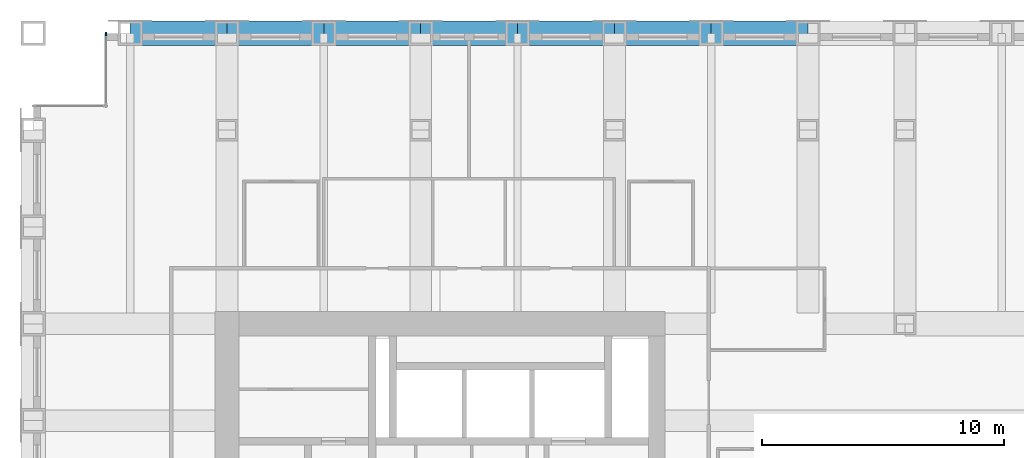
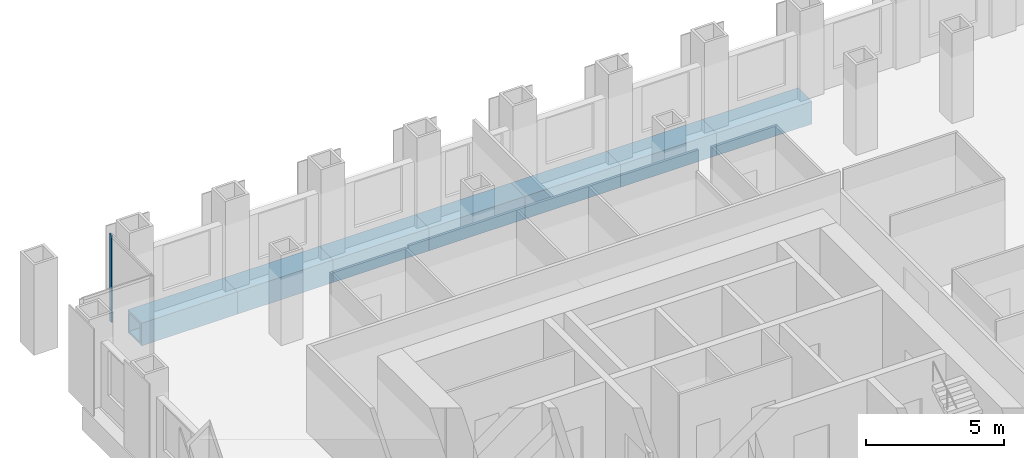
# One storey, part 8 of 16: 7 beams, 1 member, 1 element without a shape of its own.
"""IFC4 building model written with IfcOpenShell, lengths in metres."""

from ifc_helpers import new_model, si_unit, direction, frame, origin, origin_2d, place, context, subcontext, project, spatial, rectangle, hollow_rectangle, extrude, material, material_profile, profile_set, type_object, element, aggregate, save


model = new_model("IFC4")

# Units and contexts
model_context = context("Model", 3, precision=1e-05, world=origin(), true_north=direction((0.0, 1.0)))
body_context = subcontext(model_context, "Body", "Model", "MODEL_VIEW")
ifc_project = project(units=[si_unit("LENGTHUNIT", "METRE"), si_unit("AREAUNIT", "SQUARE_METRE"), si_unit("VOLUMEUNIT", "CUBIC_METRE"), si_unit("PLANEANGLEUNIT", "RADIAN"), si_unit("MASSUNIT", "GRAM", prefix="KILO")], contexts=[model_context])

# Site, building, storey
site_placement = place(None, origin())
site = spatial("IfcSite", under=ifc_project, at=site_placement, CompositionType="ELEMENT")
building_placement = place(site_placement, origin())
building = spatial("IfcBuilding", under=site, at=building_placement, Name="Rimbunsela Tower", CompositionType="ELEMENT")
storey_placement = place(building_placement, frame((0.0, 0.0, 93.39990234375)))
storey = spatial("IfcBuildingStorey", under=building, at=storey_placement, Name="L22", CompositionType="ELEMENT", Elevation=93.39990234375)

# Beams
ifc_material_1 = material(Name="Steel BJ 55 (fy 410 MPa)", Category="steel")
ifc_material_profile_1 = material_profile(ifc_material_1, hollow_rectangle(XDim=1.0, YDim=1.0, WallThickness=0.10009765625, at=origin_2d()), Name="BOX 1000x1000x100")
ifc_profile_set_1 = profile_set([ifc_material_profile_1], Name="Steel BJ 55 (fy 410 MPa)")
beam_type = type_object("IfcBeamType", Name="Beam BOX 1000x1000x100", PredefinedType="BEAM", material=ifc_profile_set_1)
for number, where, z_axis, x_axis, name in (
    (1, (14.0, 48.0, -0.64990234375), (1.0, 0.0, 0.0), (0.0, 1.0, 0.0), "Beam B3 L22"),
    (2, (18.0, 48.0, -0.64990234375), (1.0, 0.0, 0.0), (0.0, 1.0, 0.0), "Beam B3 L22"),
    (3, (22.0, 48.0, -0.64990234375), (1.0, 0.0, 0.0), (0.0, 1.0, 0.0), "Beam B3 L22"),
    (4, (26.0, 48.0, -0.64990234375), (1.0, 0.0, 0.0), (0.0, 1.0, 0.0), "Beam B3 L22"),
    (5, (30.0, 48.0, -0.64990234375), (1.0, 0.0, 0.0), (0.0, 1.0, 0.0), "Beam B3 L22"),
    (6, (34.0, 48.0, -0.64990234375), (1.0, 0.0, 0.0), (0.0, 1.0, 0.0), "Beam B3 L22"),
    (7, (38.0, 48.0, -0.64990234375), (1.0, 0.0, 0.0), (0.0, 1.0, 0.0), "Beam B3 L22"),
):
    element("IfcBeam", number, at=place(storey_placement, frame(where, z_axis=z_axis, x_axis=x_axis)), inside=storey, type_object=beam_type, Name=name, PredefinedType="BEAM", context=body_context, shape_type="SweptSolid", body=[
        extrude(hollow_rectangle(XDim=1.0, YDim=1.0, WallThickness=0.10009765625, at=origin_2d()), origin(), (0.0, 0.0, 1.0), 4.0),
    ])

# Curtain wall, member
ifc_material_2 = material(Name="Aluminium curtain wall", Category="aluminium")
curtain_wall_type = type_object("IfcCurtainWallType", Name="Corner glazing", PredefinedType="USERDEFINED", material=ifc_material_2)
curtain_wall_placement = place(storey_placement, origin())
curtain_wall = element("IfcCurtainWall", 8, at=curtain_wall_placement, inside=storey, type_object=curtain_wall_type, Name="Corner glazing L22", ObjectType="CORNER GLAZING", PredefinedType="USERDEFINED")
ifc_material_3 = material(Name="Aluminium mullion", Category="aluminium")
ifc_material_profile_2 = material_profile(ifc_material_3, rectangle(XDim=0.06005859375, YDim=0.159912109375, at=origin_2d()), Name="Mullion 60x160")
ifc_profile_set_2 = profile_set([ifc_material_profile_2], Name="Aluminium mullion")
member_type = type_object("IfcMemberType", Name="Curtain wall mullion 60x160", PredefinedType="MULLION", material=ifc_profile_set_2)
member_placement = place(storey_placement, frame((13.0, 47.969970703125, 0.0), z_axis=(0.0, 0.0, 1.0), x_axis=(1.0, 0.0, 0.0)))
member = element("IfcMember", 9, at=member_placement, type_object=member_type, Name="CW5 mullion 1", PredefinedType="MULLION", context=body_context, shape_type="SweptSolid", body=[
    extrude(rectangle(XDim=0.06005859375, YDim=0.159912109375, at=origin_2d()), origin(), (0.0, 0.0, 1.0), 3.85009765625),
])
aggregate(curtain_wall, [member])

save(model, "model.ifc")
